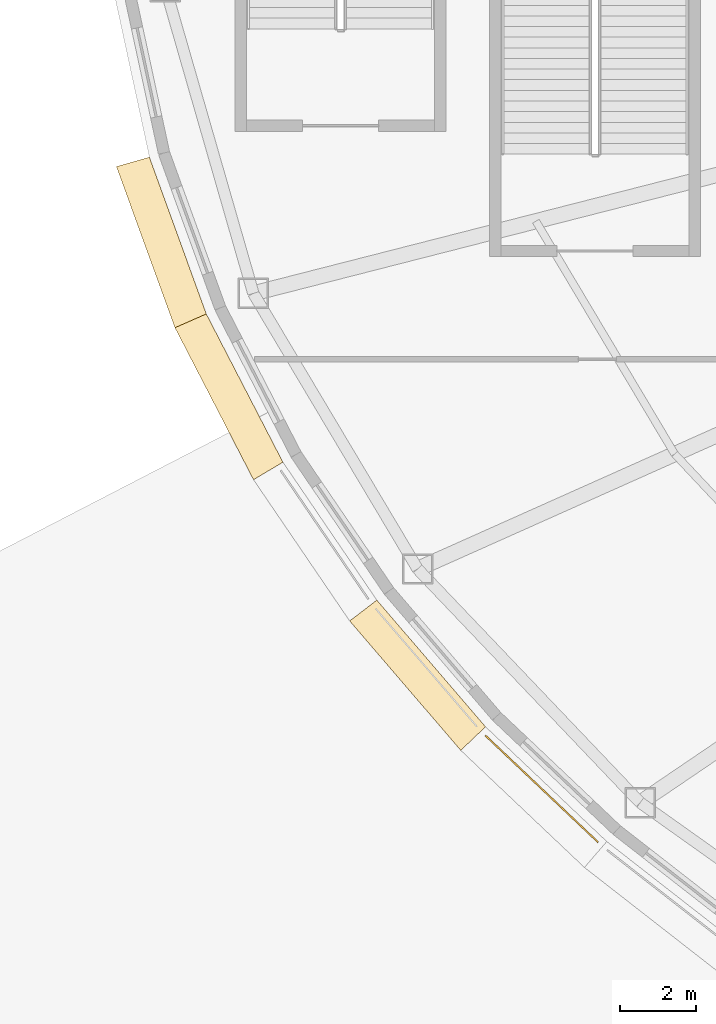
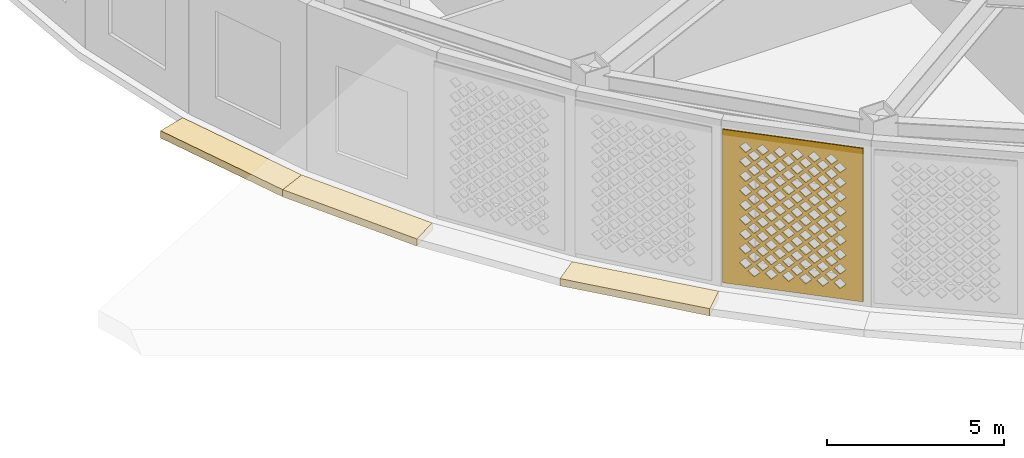
# One storey, part 37 of 74: 4 coverings.
"""IFC4 building model written with IfcOpenShell, lengths in metres."""

from ifc_helpers import new_model, si_unit, direction, frame, origin, place, context, subcontext, project, spatial, polyline, outline, extrude, material, layer, layer_set, type_object, element, save


model = new_model("IFC4")

# Units and contexts
model_context = context("Model", 3, precision=1e-05, world=origin(), true_north=direction((0.0, 1.0)))
body_context = subcontext(model_context, "Body", "Model", "MODEL_VIEW")
ifc_project = project(units=[si_unit("LENGTHUNIT", "METRE"), si_unit("AREAUNIT", "SQUARE_METRE"), si_unit("VOLUMEUNIT", "CUBIC_METRE"), si_unit("PLANEANGLEUNIT", "RADIAN"), si_unit("MASSUNIT", "GRAM", prefix="KILO")], contexts=[model_context])

# Site, building, storey
site_placement = place(None, origin())
site = spatial("IfcSite", under=ifc_project, at=site_placement, CompositionType="ELEMENT")
building_placement = place(site_placement, origin())
building = spatial("IfcBuilding", under=site, at=building_placement, Name="Noorbagh Ring Tower", CompositionType="ELEMENT")
storey_placement = place(building_placement, frame((0.0, 0.0, 7.5)))
storey = spatial("IfcBuildingStorey", under=building, at=storey_placement, Name="L01", CompositionType="ELEMENT", Elevation=7.5)

# Coverings
ifc_material_1 = material(Name="Red sandstone eave", Category="masonry")
covering_type_1 = type_object("IfcCoveringType", Name="STY-CHHAJJA", PredefinedType="USERDEFINED", material=ifc_material_1)
covering_1_placement = place(storey_placement, frame((0.0, 0.0, -0.25)))
element("IfcCovering", 1, at=covering_1_placement, inside=storey, type_object=covering_type_1, Name="Chhajja eave", ObjectType="CHHAJJA", PredefinedType="USERDEFINED", context=body_context, shape_type="SweptSolid", body=[
    extrude(outline(polyline([(-50.76123046875, -8.6787109375), (-49.26171875, -12.809326171875), (-50.087646484375, -13.171142578125), (-51.628173828125, -8.92822265625), (-50.76123046875, -8.6787109375)])), origin(), (0.0, 0.0, 1.0), 0.25),
])
covering_2_placement = place(storey_placement, frame((0.0, 0.0, -0.25)))
element("IfcCovering", 2, at=covering_2_placement, inside=storey, type_object=covering_type_1, Name="Chhajja eave", ObjectType="CHHAJJA", PredefinedType="USERDEFINED", context=body_context, shape_type="SweptSolid", body=[
    extrude(outline(polyline([(-49.26171875, -12.809326171875), (-47.2431640625, -16.71337890625), (-48.017578125, -17.175048828125), (-50.087646484375, -13.171142578125), (-49.26171875, -12.809326171875)])), origin(), (0.0, 0.0, 1.0), 0.25),
])
covering_3_placement = place(storey_placement, frame((0.0, 0.0, -0.25)))
element("IfcCovering", 3, at=covering_3_placement, inside=storey, type_object=covering_type_1, Name="Chhajja eave", ObjectType="CHHAJJA", PredefinedType="USERDEFINED", context=body_context, shape_type="SweptSolid", body=[
    extrude(outline(polyline([(-44.77001953125, -20.346923828125), (-41.906494140625, -23.682373046875), (-42.55908203125, -24.3037109375), (-45.485595703125, -20.89501953125), (-44.77001953125, -20.346923828125)])), origin(), (0.0, 0.0, 1.0), 0.25),
])
ifc_material_2 = material(Name="Red sandstone jali", Category="masonry")
ifc_layer = layer(ifc_material_2, 0.0400390625)
ifc_layer_set = layer_set([ifc_layer], Name="Red sandstone jali")
covering_type_2 = type_object("IfcCoveringType", Name="STY-JALI", PredefinedType="USERDEFINED", material=ifc_layer_set)
covering_4_placement = place(storey_placement, frame((-41.92822265625, -23.92333984375, 0.449951171875), z_axis=(-0.687531349275, -0.726154696855, 0.0), x_axis=(0.726154696855, -0.687531349275, 0.0)))
element("IfcCovering", 4, at=covering_4_placement, inside=storey, type_object=covering_type_2, Name="Jali screen", ObjectType="SCREEN", PredefinedType="USERDEFINED", context=body_context, shape_type="SweptSolid", body=[
    extrude(outline(polyline([(0.0, 0.0), (4.095947265625, 0.0), (4.095947265625, 5.300048828125), (0.0, 5.300048828125), (0.0, 0.0)]), holes=[polyline([(0.742919921875, 0.52490234375), (0.923095703125, 0.344970703125), (1.10302734375, 0.52490234375), (0.923095703125, 0.705078125), (0.742919921875, 0.52490234375)]), polyline([(1.242919921875, 0.52490234375), (1.423095703125, 0.344970703125), (1.60302734375, 0.52490234375), (1.423095703125, 0.705078125), (1.242919921875, 0.52490234375)]), polyline([(1.742919921875, 0.52490234375), (1.923095703125, 0.344970703125), (2.10302734375, 0.52490234375), (1.923095703125, 0.705078125), (1.742919921875, 0.52490234375)]), polyline([(2.242919921875, 0.52490234375), (2.423095703125, 0.344970703125), (2.60302734375, 0.52490234375), (2.423095703125, 0.705078125), (2.242919921875, 0.52490234375)]), polyline([(2.742919921875, 0.52490234375), (2.923095703125, 0.344970703125), (3.10302734375, 0.52490234375), (2.923095703125, 0.705078125), (2.742919921875, 0.52490234375)]), polyline([(3.242919921875, 0.52490234375), (3.423095703125, 0.344970703125), (3.60302734375, 0.52490234375), (3.423095703125, 0.705078125), (3.242919921875, 0.52490234375)]), polyline([(0.492919921875, 0.77490234375), (0.673095703125, 0.594970703125), (0.85302734375, 0.77490234375), (0.673095703125, 0.955078125), (0.492919921875, 0.77490234375)]), polyline([(0.992919921875, 0.77490234375), (1.173095703125, 0.594970703125), (1.35302734375, 0.77490234375), (1.173095703125, 0.955078125), (0.992919921875, 0.77490234375)]), polyline([(1.492919921875, 0.77490234375), (1.673095703125, 0.594970703125), (1.85302734375, 0.77490234375), (1.673095703125, 0.955078125), (1.492919921875, 0.77490234375)]), polyline([(1.992919921875, 0.77490234375), (2.173095703125, 0.594970703125), (2.35302734375, 0.77490234375), (2.173095703125, 0.955078125), (1.992919921875, 0.77490234375)]), polyline([(2.492919921875, 0.77490234375), (2.673095703125, 0.594970703125), (2.85302734375, 0.77490234375), (2.673095703125, 0.955078125), (2.492919921875, 0.77490234375)]), polyline([(2.992919921875, 0.77490234375), (3.173095703125, 0.594970703125), (3.35302734375, 0.77490234375), (3.173095703125, 0.955078125), (2.992919921875, 0.77490234375)]), polyline([(0.742919921875, 1.02490234375), (0.923095703125, 0.844970703125), (1.10302734375, 1.02490234375), (0.923095703125, 1.205078125), (0.742919921875, 1.02490234375)]), polyline([(1.242919921875, 1.02490234375), (1.423095703125, 0.844970703125), (1.60302734375, 1.02490234375), (1.423095703125, 1.205078125), (1.242919921875, 1.02490234375)]), polyline([(1.742919921875, 1.02490234375), (1.923095703125, 0.844970703125), (2.10302734375, 1.02490234375), (1.923095703125, 1.205078125), (1.742919921875, 1.02490234375)]), polyline([(2.242919921875, 1.02490234375), (2.423095703125, 0.844970703125), (2.60302734375, 1.02490234375), (2.423095703125, 1.205078125), (2.242919921875, 1.02490234375)]), polyline([(2.742919921875, 1.02490234375), (2.923095703125, 0.844970703125), (3.10302734375, 1.02490234375), (2.923095703125, 1.205078125), (2.742919921875, 1.02490234375)]), polyline([(3.242919921875, 1.02490234375), (3.423095703125, 0.844970703125), (3.60302734375, 1.02490234375), (3.423095703125, 1.205078125), (3.242919921875, 1.02490234375)]), polyline([(0.492919921875, 1.27490234375), (0.673095703125, 1.094970703125), (0.85302734375, 1.27490234375), (0.673095703125, 1.455078125), (0.492919921875, 1.27490234375)]), polyline([(0.992919921875, 1.27490234375), (1.173095703125, 1.094970703125), (1.35302734375, 1.27490234375), (1.173095703125, 1.455078125), (0.992919921875, 1.27490234375)]), polyline([(1.492919921875, 1.27490234375), (1.673095703125, 1.094970703125), (1.85302734375, 1.27490234375), (1.673095703125, 1.455078125), (1.492919921875, 1.27490234375)]), polyline([(1.992919921875, 1.27490234375), (2.173095703125, 1.094970703125), (2.35302734375, 1.27490234375), (2.173095703125, 1.455078125), (1.992919921875, 1.27490234375)]), polyline([(2.492919921875, 1.27490234375), (2.673095703125, 1.094970703125), (2.85302734375, 1.27490234375), (2.673095703125, 1.455078125), (2.492919921875, 1.27490234375)]), polyline([(2.992919921875, 1.27490234375), (3.173095703125, 1.094970703125), (3.35302734375, 1.27490234375), (3.173095703125, 1.455078125), (2.992919921875, 1.27490234375)]), polyline([(0.742919921875, 1.52490234375), (0.923095703125, 1.344970703125), (1.10302734375, 1.52490234375), (0.923095703125, 1.705078125), (0.742919921875, 1.52490234375)]), polyline([(1.242919921875, 1.52490234375), (1.423095703125, 1.344970703125), (1.60302734375, 1.52490234375), (1.423095703125, 1.705078125), (1.242919921875, 1.52490234375)]), polyline([(1.742919921875, 1.52490234375), (1.923095703125, 1.344970703125), (2.10302734375, 1.52490234375), (1.923095703125, 1.705078125), (1.742919921875, 1.52490234375)]), polyline([(2.242919921875, 1.52490234375), (2.423095703125, 1.344970703125), (2.60302734375, 1.52490234375), (2.423095703125, 1.705078125), (2.242919921875, 1.52490234375)]), polyline([(2.742919921875, 1.52490234375), (2.923095703125, 1.344970703125), (3.10302734375, 1.52490234375), (2.923095703125, 1.705078125), (2.742919921875, 1.52490234375)]), polyline([(3.242919921875, 1.52490234375), (3.423095703125, 1.344970703125), (3.60302734375, 1.52490234375), (3.423095703125, 1.705078125), (3.242919921875, 1.52490234375)]), polyline([(0.492919921875, 1.77490234375), (0.673095703125, 1.594970703125), (0.85302734375, 1.77490234375), (0.673095703125, 1.955078125), (0.492919921875, 1.77490234375)]), polyline([(0.992919921875, 1.77490234375), (1.173095703125, 1.594970703125), (1.35302734375, 1.77490234375), (1.173095703125, 1.955078125), (0.992919921875, 1.77490234375)]), polyline([(1.492919921875, 1.77490234375), (1.673095703125, 1.594970703125), (1.85302734375, 1.77490234375), (1.673095703125, 1.955078125), (1.492919921875, 1.77490234375)]), polyline([(1.992919921875, 1.77490234375), (2.173095703125, 1.594970703125), (2.35302734375, 1.77490234375), (2.173095703125, 1.955078125), (1.992919921875, 1.77490234375)]), polyline([(2.492919921875, 1.77490234375), (2.673095703125, 1.594970703125), (2.85302734375, 1.77490234375), (2.673095703125, 1.955078125), (2.492919921875, 1.77490234375)]), polyline([(2.992919921875, 1.77490234375), (3.173095703125, 1.594970703125), (3.35302734375, 1.77490234375), (3.173095703125, 1.955078125), (2.992919921875, 1.77490234375)]), polyline([(0.742919921875, 2.02490234375), (0.923095703125, 1.844970703125), (1.10302734375, 2.02490234375), (0.923095703125, 2.205078125), (0.742919921875, 2.02490234375)]), polyline([(1.242919921875, 2.02490234375), (1.423095703125, 1.844970703125), (1.60302734375, 2.02490234375), (1.423095703125, 2.205078125), (1.242919921875, 2.02490234375)]), polyline([(1.742919921875, 2.02490234375), (1.923095703125, 1.844970703125), (2.10302734375, 2.02490234375), (1.923095703125, 2.205078125), (1.742919921875, 2.02490234375)]), polyline([(2.242919921875, 2.02490234375), (2.423095703125, 1.844970703125), (2.60302734375, 2.02490234375), (2.423095703125, 2.205078125), (2.242919921875, 2.02490234375)]), polyline([(2.742919921875, 2.02490234375), (2.923095703125, 1.844970703125), (3.10302734375, 2.02490234375), (2.923095703125, 2.205078125), (2.742919921875, 2.02490234375)]), polyline([(3.242919921875, 2.02490234375), (3.423095703125, 1.844970703125), (3.60302734375, 2.02490234375), (3.423095703125, 2.205078125), (3.242919921875, 2.02490234375)]), polyline([(0.492919921875, 2.27490234375), (0.673095703125, 2.094970703125), (0.85302734375, 2.27490234375), (0.673095703125, 2.455078125), (0.492919921875, 2.27490234375)]), polyline([(0.992919921875, 2.27490234375), (1.173095703125, 2.094970703125), (1.35302734375, 2.27490234375), (1.173095703125, 2.455078125), (0.992919921875, 2.27490234375)]), polyline([(1.492919921875, 2.27490234375), (1.673095703125, 2.094970703125), (1.85302734375, 2.27490234375), (1.673095703125, 2.455078125), (1.492919921875, 2.27490234375)]), polyline([(1.992919921875, 2.27490234375), (2.173095703125, 2.094970703125), (2.35302734375, 2.27490234375), (2.173095703125, 2.455078125), (1.992919921875, 2.27490234375)]), polyline([(2.492919921875, 2.27490234375), (2.673095703125, 2.094970703125), (2.85302734375, 2.27490234375), (2.673095703125, 2.455078125), (2.492919921875, 2.27490234375)]), polyline([(2.992919921875, 2.27490234375), (3.173095703125, 2.094970703125), (3.35302734375, 2.27490234375), (3.173095703125, 2.455078125), (2.992919921875, 2.27490234375)]), polyline([(0.742919921875, 2.52490234375), (0.923095703125, 2.344970703125), (1.10302734375, 2.52490234375), (0.923095703125, 2.705078125), (0.742919921875, 2.52490234375)]), polyline([(1.242919921875, 2.52490234375), (1.423095703125, 2.344970703125), (1.60302734375, 2.52490234375), (1.423095703125, 2.705078125), (1.242919921875, 2.52490234375)]), polyline([(1.742919921875, 2.52490234375), (1.923095703125, 2.344970703125), (2.10302734375, 2.52490234375), (1.923095703125, 2.705078125), (1.742919921875, 2.52490234375)]), polyline([(2.242919921875, 2.52490234375), (2.423095703125, 2.344970703125), (2.60302734375, 2.52490234375), (2.423095703125, 2.705078125), (2.242919921875, 2.52490234375)]), polyline([(2.742919921875, 2.52490234375), (2.923095703125, 2.344970703125), (3.10302734375, 2.52490234375), (2.923095703125, 2.705078125), (2.742919921875, 2.52490234375)]), polyline([(3.242919921875, 2.52490234375), (3.423095703125, 2.344970703125), (3.60302734375, 2.52490234375), (3.423095703125, 2.705078125), (3.242919921875, 2.52490234375)]), polyline([(0.492919921875, 2.77490234375), (0.673095703125, 2.594970703125), (0.85302734375, 2.77490234375), (0.673095703125, 2.955078125), (0.492919921875, 2.77490234375)]), polyline([(0.992919921875, 2.77490234375), (1.173095703125, 2.594970703125), (1.35302734375, 2.77490234375), (1.173095703125, 2.955078125), (0.992919921875, 2.77490234375)]), polyline([(1.492919921875, 2.77490234375), (1.673095703125, 2.594970703125), (1.85302734375, 2.77490234375), (1.673095703125, 2.955078125), (1.492919921875, 2.77490234375)]), polyline([(1.992919921875, 2.77490234375), (2.173095703125, 2.594970703125), (2.35302734375, 2.77490234375), (2.173095703125, 2.955078125), (1.992919921875, 2.77490234375)]), polyline([(2.492919921875, 2.77490234375), (2.673095703125, 2.594970703125), (2.85302734375, 2.77490234375), (2.673095703125, 2.955078125), (2.492919921875, 2.77490234375)]), polyline([(2.992919921875, 2.77490234375), (3.173095703125, 2.594970703125), (3.35302734375, 2.77490234375), (3.173095703125, 2.955078125), (2.992919921875, 2.77490234375)]), polyline([(0.742919921875, 3.02490234375), (0.923095703125, 2.844970703125), (1.10302734375, 3.02490234375), (0.923095703125, 3.205078125), (0.742919921875, 3.02490234375)]), polyline([(1.242919921875, 3.02490234375), (1.423095703125, 2.844970703125), (1.60302734375, 3.02490234375), (1.423095703125, 3.205078125), (1.242919921875, 3.02490234375)]), polyline([(1.742919921875, 3.02490234375), (1.923095703125, 2.844970703125), (2.10302734375, 3.02490234375), (1.923095703125, 3.205078125), (1.742919921875, 3.02490234375)]), polyline([(2.242919921875, 3.02490234375), (2.423095703125, 2.844970703125), (2.60302734375, 3.02490234375), (2.423095703125, 3.205078125), (2.242919921875, 3.02490234375)]), polyline([(2.742919921875, 3.02490234375), (2.923095703125, 2.844970703125), (3.10302734375, 3.02490234375), (2.923095703125, 3.205078125), (2.742919921875, 3.02490234375)]), polyline([(3.242919921875, 3.02490234375), (3.423095703125, 2.844970703125), (3.60302734375, 3.02490234375), (3.423095703125, 3.205078125), (3.242919921875, 3.02490234375)]), polyline([(0.492919921875, 3.27490234375), (0.673095703125, 3.094970703125), (0.85302734375, 3.27490234375), (0.673095703125, 3.455078125), (0.492919921875, 3.27490234375)]), polyline([(0.992919921875, 3.27490234375), (1.173095703125, 3.094970703125), (1.35302734375, 3.27490234375), (1.173095703125, 3.455078125), (0.992919921875, 3.27490234375)]), polyline([(1.492919921875, 3.27490234375), (1.673095703125, 3.094970703125), (1.85302734375, 3.27490234375), (1.673095703125, 3.455078125), (1.492919921875, 3.27490234375)]), polyline([(1.992919921875, 3.27490234375), (2.173095703125, 3.094970703125), (2.35302734375, 3.27490234375), (2.173095703125, 3.455078125), (1.992919921875, 3.27490234375)]), polyline([(2.492919921875, 3.27490234375), (2.673095703125, 3.094970703125), (2.85302734375, 3.27490234375), (2.673095703125, 3.455078125), (2.492919921875, 3.27490234375)]), polyline([(2.992919921875, 3.27490234375), (3.173095703125, 3.094970703125), (3.35302734375, 3.27490234375), (3.173095703125, 3.455078125), (2.992919921875, 3.27490234375)]), polyline([(0.742919921875, 3.52490234375), (0.923095703125, 3.344970703125), (1.10302734375, 3.52490234375), (0.923095703125, 3.705078125), (0.742919921875, 3.52490234375)]), polyline([(1.242919921875, 3.52490234375), (1.423095703125, 3.344970703125), (1.60302734375, 3.52490234375), (1.423095703125, 3.705078125), (1.242919921875, 3.52490234375)]), polyline([(1.742919921875, 3.52490234375), (1.923095703125, 3.344970703125), (2.10302734375, 3.52490234375), (1.923095703125, 3.705078125), (1.742919921875, 3.52490234375)]), polyline([(2.242919921875, 3.52490234375), (2.423095703125, 3.344970703125), (2.60302734375, 3.52490234375), (2.423095703125, 3.705078125), (2.242919921875, 3.52490234375)]), polyline([(2.742919921875, 3.52490234375), (2.923095703125, 3.344970703125), (3.10302734375, 3.52490234375), (2.923095703125, 3.705078125), (2.742919921875, 3.52490234375)]), polyline([(3.242919921875, 3.52490234375), (3.423095703125, 3.344970703125), (3.60302734375, 3.52490234375), (3.423095703125, 3.705078125), (3.242919921875, 3.52490234375)]), polyline([(0.492919921875, 3.77490234375), (0.673095703125, 3.594970703125), (0.85302734375, 3.77490234375), (0.673095703125, 3.955078125), (0.492919921875, 3.77490234375)]), polyline([(0.992919921875, 3.77490234375), (1.173095703125, 3.594970703125), (1.35302734375, 3.77490234375), (1.173095703125, 3.955078125), (0.992919921875, 3.77490234375)]), polyline([(1.492919921875, 3.77490234375), (1.673095703125, 3.594970703125), (1.85302734375, 3.77490234375), (1.673095703125, 3.955078125), (1.492919921875, 3.77490234375)]), polyline([(1.992919921875, 3.77490234375), (2.173095703125, 3.594970703125), (2.35302734375, 3.77490234375), (2.173095703125, 3.955078125), (1.992919921875, 3.77490234375)]), polyline([(2.492919921875, 3.77490234375), (2.673095703125, 3.594970703125), (2.85302734375, 3.77490234375), (2.673095703125, 3.955078125), (2.492919921875, 3.77490234375)]), polyline([(2.992919921875, 3.77490234375), (3.173095703125, 3.594970703125), (3.35302734375, 3.77490234375), (3.173095703125, 3.955078125), (2.992919921875, 3.77490234375)]), polyline([(0.742919921875, 4.02490234375), (0.923095703125, 3.844970703125), (1.10302734375, 4.02490234375), (0.923095703125, 4.205078125), (0.742919921875, 4.02490234375)]), polyline([(1.242919921875, 4.02490234375), (1.423095703125, 3.844970703125), (1.60302734375, 4.02490234375), (1.423095703125, 4.205078125), (1.242919921875, 4.02490234375)]), polyline([(1.742919921875, 4.02490234375), (1.923095703125, 3.844970703125), (2.10302734375, 4.02490234375), (1.923095703125, 4.205078125), (1.742919921875, 4.02490234375)]), polyline([(2.242919921875, 4.02490234375), (2.423095703125, 3.844970703125), (2.60302734375, 4.02490234375), (2.423095703125, 4.205078125), (2.242919921875, 4.02490234375)]), polyline([(2.742919921875, 4.02490234375), (2.923095703125, 3.844970703125), (3.10302734375, 4.02490234375), (2.923095703125, 4.205078125), (2.742919921875, 4.02490234375)]), polyline([(3.242919921875, 4.02490234375), (3.423095703125, 3.844970703125), (3.60302734375, 4.02490234375), (3.423095703125, 4.205078125), (3.242919921875, 4.02490234375)]), polyline([(0.492919921875, 4.27490234375), (0.673095703125, 4.094970703125), (0.85302734375, 4.27490234375), (0.673095703125, 4.455078125), (0.492919921875, 4.27490234375)]), polyline([(0.992919921875, 4.27490234375), (1.173095703125, 4.094970703125), (1.35302734375, 4.27490234375), (1.173095703125, 4.455078125), (0.992919921875, 4.27490234375)]), polyline([(1.492919921875, 4.27490234375), (1.673095703125, 4.094970703125), (1.85302734375, 4.27490234375), (1.673095703125, 4.455078125), (1.492919921875, 4.27490234375)]), polyline([(1.992919921875, 4.27490234375), (2.173095703125, 4.094970703125), (2.35302734375, 4.27490234375), (2.173095703125, 4.455078125), (1.992919921875, 4.27490234375)]), polyline([(2.492919921875, 4.27490234375), (2.673095703125, 4.094970703125), (2.85302734375, 4.27490234375), (2.673095703125, 4.455078125), (2.492919921875, 4.27490234375)]), polyline([(2.992919921875, 4.27490234375), (3.173095703125, 4.094970703125), (3.35302734375, 4.27490234375), (3.173095703125, 4.455078125), (2.992919921875, 4.27490234375)]), polyline([(0.742919921875, 4.52490234375), (0.923095703125, 4.344970703125), (1.10302734375, 4.52490234375), (0.923095703125, 4.705078125), (0.742919921875, 4.52490234375)]), polyline([(1.242919921875, 4.52490234375), (1.423095703125, 4.344970703125), (1.60302734375, 4.52490234375), (1.423095703125, 4.705078125), (1.242919921875, 4.52490234375)]), polyline([(1.742919921875, 4.52490234375), (1.923095703125, 4.344970703125), (2.10302734375, 4.52490234375), (1.923095703125, 4.705078125), (1.742919921875, 4.52490234375)]), polyline([(2.242919921875, 4.52490234375), (2.423095703125, 4.344970703125), (2.60302734375, 4.52490234375), (2.423095703125, 4.705078125), (2.242919921875, 4.52490234375)]), polyline([(2.742919921875, 4.52490234375), (2.923095703125, 4.344970703125), (3.10302734375, 4.52490234375), (2.923095703125, 4.705078125), (2.742919921875, 4.52490234375)]), polyline([(3.242919921875, 4.52490234375), (3.423095703125, 4.344970703125), (3.60302734375, 4.52490234375), (3.423095703125, 4.705078125), (3.242919921875, 4.52490234375)]), polyline([(0.492919921875, 4.77490234375), (0.673095703125, 4.594970703125), (0.85302734375, 4.77490234375), (0.673095703125, 4.955078125), (0.492919921875, 4.77490234375)]), polyline([(0.992919921875, 4.77490234375), (1.173095703125, 4.594970703125), (1.35302734375, 4.77490234375), (1.173095703125, 4.955078125), (0.992919921875, 4.77490234375)]), polyline([(1.492919921875, 4.77490234375), (1.673095703125, 4.594970703125), (1.85302734375, 4.77490234375), (1.673095703125, 4.955078125), (1.492919921875, 4.77490234375)]), polyline([(1.992919921875, 4.77490234375), (2.173095703125, 4.594970703125), (2.35302734375, 4.77490234375), (2.173095703125, 4.955078125), (1.992919921875, 4.77490234375)]), polyline([(2.492919921875, 4.77490234375), (2.673095703125, 4.594970703125), (2.85302734375, 4.77490234375), (2.673095703125, 4.955078125), (2.492919921875, 4.77490234375)]), polyline([(2.992919921875, 4.77490234375), (3.173095703125, 4.594970703125), (3.35302734375, 4.77490234375), (3.173095703125, 4.955078125), (2.992919921875, 4.77490234375)])]), origin(), (0.0, 0.0, -1.0), 0.0400390625),
])

save(model, "model.ifc")
